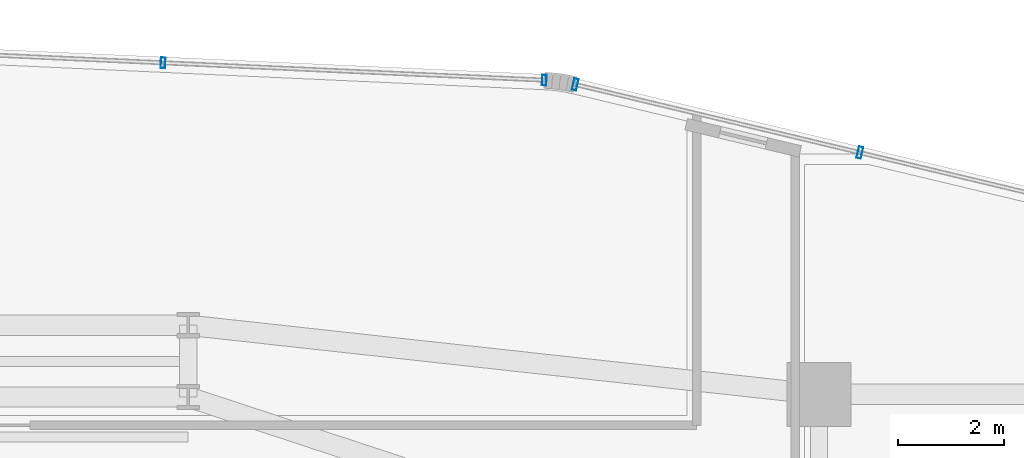
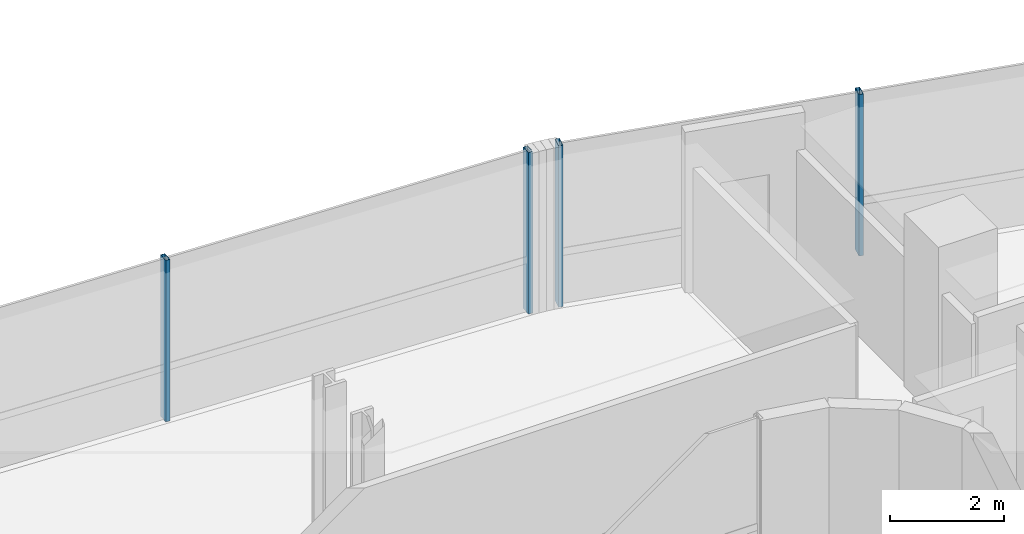
# One storey, part 23 of 34: 4 members, 2 elements without a shape of their own.
"""IFC4 building model written with IfcOpenShell, lengths in metres."""

from ifc_helpers import new_model, si_unit, direction, frame, origin, origin_2d, place, context, subcontext, project, spatial, hollow_rectangle, extrude, source, transform, mapped, material, material_profile, profile_set, type_object, element, aggregate, save


model = new_model("IFC4")

# Units and contexts
model_context = context("Model", 3, precision=1e-05, world=origin(), true_north=direction((0.0, 1.0)))
body_context = subcontext(model_context, "Body", "Model", "MODEL_VIEW")
ifc_project = project(units=[si_unit("LENGTHUNIT", "METRE"), si_unit("AREAUNIT", "SQUARE_METRE"), si_unit("VOLUMEUNIT", "CUBIC_METRE"), si_unit("PLANEANGLEUNIT", "RADIAN"), si_unit("MASSUNIT", "GRAM", prefix="KILO")], contexts=[model_context])

# Site, building, storey
site_placement = place(None, origin())
site = spatial("IfcSite", under=ifc_project, at=site_placement, CompositionType="ELEMENT")
building_placement = place(site_placement, origin())
building = spatial("IfcBuilding", under=site, at=building_placement, Name="Valdorenza Pilgrim Sanctuary Tower", CompositionType="ELEMENT")
storey_placement = place(building_placement, frame((0.0, 0.0, 120.5)))
storey = spatial("IfcBuildingStorey", under=building, at=storey_placement, Name="L30", CompositionType="ELEMENT", Elevation=120.5)

# Curtain wall, members
ifc_material_1 = material(Name="Curtain-wall IGU glazing", Category="glass")
curtain_wall_type_1 = type_object("IfcCurtainWallType", Name="CW-SYS-02", PredefinedType="NOTDEFINED", material=ifc_material_1)
curtain_wall_1_placement = place(storey_placement, origin())
curtain_wall_1 = element("IfcCurtainWall", 1, at=curtain_wall_1_placement, inside=storey, type_object=curtain_wall_type_1, Name="L30 Curtain Wall CW-L30-1-11", PredefinedType="NOTDEFINED")
ifc_material_2 = material(Name="Anodised aluminium AW-6060", Category="aluminium")
ifc_material_profile_1 = material_profile(ifc_material_2, hollow_rectangle(XDim=0.0849609375, YDim=0.199951171875, WallThickness=0.0048828125, at=origin_2d()), Name="ALU-M 200x85x5")
ifc_profile_set_1 = profile_set([ifc_material_profile_1], Name="Anodised aluminium AW-6060")
member_type_1 = type_object("IfcMemberType", Name="CW-MUL-02", PredefinedType="MULLION", material=ifc_profile_set_1)
shared_shape_1 = source(origin(), body_context, "Body", "SweptSolid", [
    extrude(hollow_rectangle(XDim=0.0849609375, YDim=0.199951171875, WallThickness=0.0048828125, at=origin_2d()), origin(), (0.0, 0.0, 1.0), 3.4599609375),
])
member_1_placement = place(storey_placement, frame((3.528076171875, 19.7294921875, 0.0), z_axis=(0.0, 0.0, 1.0), x_axis=(0.998968193221, -0.045415294044, 0.0)))
member_1 = element("IfcMember", 2, at=member_1_placement, type_object=member_type_1, Name="CW-L30-1-11 Mullion 3", PredefinedType="MULLION", context=body_context, shape_type="MappedRepresentation", body=[
    mapped(shared_shape_1, transform((0.0, 0.0, 0.0), x_axis=(1.0, 0.0, 0.0), y_axis=(0.0, 1.0, 0.0), z_axis=(0.0, 0.0, 1.0), scale=1.0)),
])
member_2_placement = place(storey_placement, frame((10.68994140625, 19.404052734375, 0.0), z_axis=(0.0, 0.0, 1.0), x_axis=(0.998968193221, -0.045415294044, 0.0)))
member_2 = element("IfcMember", 3, at=member_2_placement, type_object=member_type_1, Name="CW-L30-1-11 Mullion 4", PredefinedType="MULLION", context=body_context, shape_type="MappedRepresentation", body=[
    mapped(shared_shape_1, transform((0.0, 0.0, 0.0), x_axis=(1.0, 0.0, 0.0), y_axis=(0.0, 1.0, 0.0), z_axis=(0.0, 0.0, 1.0), scale=1.0)),
])
aggregate(curtain_wall_1, [member_1, member_2])

curtain_wall_type_2 = type_object("IfcCurtainWallType", Name="CW-SYS-03", PredefinedType="NOTDEFINED", material=ifc_material_1)
curtain_wall_2_placement = place(storey_placement, origin())
curtain_wall_2 = element("IfcCurtainWall", 4, at=curtain_wall_2_placement, inside=storey, type_object=curtain_wall_type_2, Name="L30 Curtain Wall CW-L30-1-16", PredefinedType="NOTDEFINED")
ifc_material_profile_2 = material_profile(ifc_material_2, hollow_rectangle(XDim=0.0849609375, YDim=0.219970703125, WallThickness=0.0048828125, at=origin_2d()), Name="ALU-M 220x85x5")
ifc_profile_set_2 = profile_set([ifc_material_profile_2], Name="Anodised aluminium AW-6060")
member_type_2 = type_object("IfcMemberType", Name="CW-MUL-03", PredefinedType="MULLION", material=ifc_profile_set_2)
shared_shape_2 = source(origin(), body_context, "Body", "SweptSolid", [
    extrude(hollow_rectangle(XDim=0.0849609375, YDim=0.219970703125, WallThickness=0.0048828125, at=origin_2d()), origin(), (0.0, 0.0, 1.0), 3.4599609375),
])
member_3_placement = place(storey_placement, frame((11.271484375, 19.322021484375, 0.0), z_axis=(0.0, 0.0, 1.0), x_axis=(0.972528596343, -0.232783438617, 0.0)))
member_3 = element("IfcMember", 5, at=member_3_placement, type_object=member_type_2, Name="CW-L30-1-16 Mullion 1", PredefinedType="MULLION", context=body_context, shape_type="MappedRepresentation", body=[
    mapped(shared_shape_2, transform((0.0, 0.0, 0.0), x_axis=(1.0, 0.0, 0.0), y_axis=(0.0, 1.0, 0.0), z_axis=(0.0, 0.0, 1.0), scale=1.0)),
])
member_4_placement = place(storey_placement, frame((16.617919921875, 18.042236328125, 0.0), z_axis=(0.0, 0.0, 1.0), x_axis=(0.972528596343, -0.232783438617, 0.0)))
member_4 = element("IfcMember", 6, at=member_4_placement, type_object=member_type_2, Name="CW-L30-1-16 Mullion 2", PredefinedType="MULLION", context=body_context, shape_type="MappedRepresentation", body=[
    mapped(shared_shape_2, transform((0.0, 0.0, 0.0), x_axis=(1.0, 0.0, 0.0), y_axis=(0.0, 1.0, 0.0), z_axis=(0.0, 0.0, 1.0), scale=1.0)),
])
aggregate(curtain_wall_2, [member_3, member_4])

save(model, "model.ifc")
